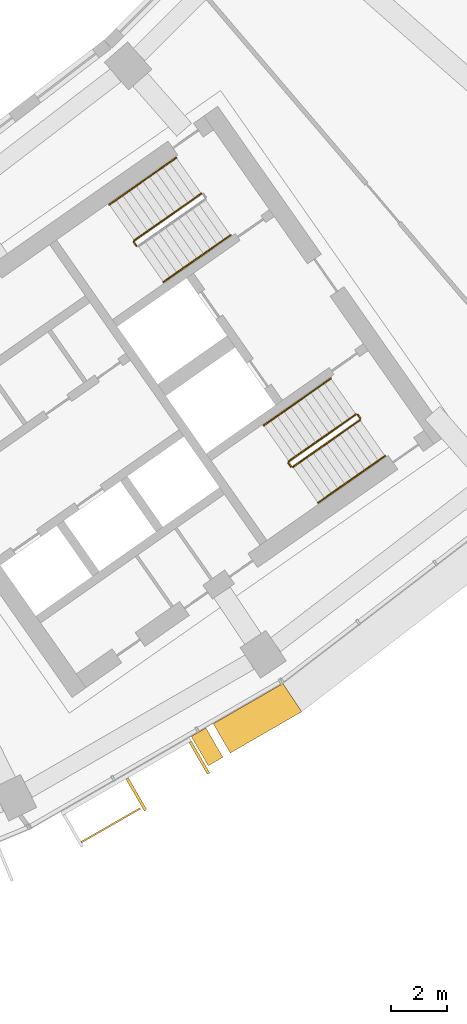
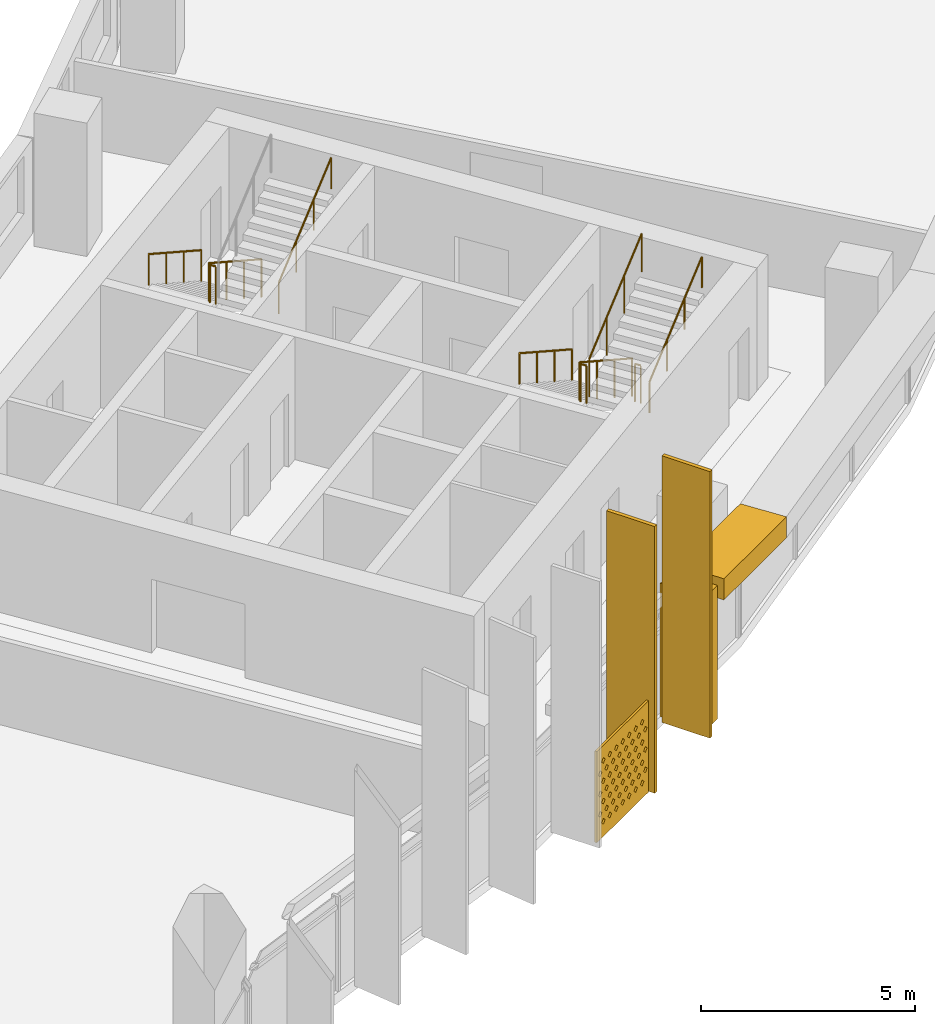
# One storey, part 26 of 27: 8 railings, 5 shading devices.
"""IFC4 building model written with IfcOpenShell, lengths in metres."""

import ifcopenshell
import ifcopenshell.guid

model = None  # the IFC model being written
_history = None  # IfcOwnerHistory: only IFC2X3 demands one
_inside = {}  # id of a spatial element -> (the spatial element, [elements in it])
_under = {}  # id of a project, library or spatial element -> (it, [spatial elements below it])
_declared = {}  # id of a project -> (the project, [libraries it declares])
_typed = {}  # id of a type object -> (the type object, [elements of that type])
_made_of = {}  # id of a material, layer set ... -> (it, [elements and type objects made of it])


def new_model(schema):
    """Start an empty IFC model of exactly this schema.

    Asked for "IFC4X3", IfcOpenShell would pick the latest addendum, in which some entities
    have other attributes; the version numbers below select the first issue.
    IFC2X3 requires an IfcOwnerHistory on every rooted entity: one is made here for all.
    """
    global model, _history
    if schema == "IFC4X3":
        model = ifcopenshell.file(schema_version=(4, 3, 0, 0))
    else:
        model = ifcopenshell.file(schema=schema)
    _inside.clear()
    _under.clear()
    _declared.clear()
    _typed.clear()
    _made_of.clear()
    _history = None
    if model.schema == "IFC2X3":
        org = make("IfcOrganization", Name="unknown")
        user = make(
            "IfcPersonAndOrganization",
            ThePerson=make("IfcPerson", FamilyName="unknown"),
            TheOrganization=org,
        )
        app = make(
            "IfcApplication",
            ApplicationDeveloper=org,
            Version="unknown",
            ApplicationFullName="unknown",
            ApplicationIdentifier="unknown",
        )
        _history = make(
            "IfcOwnerHistory",
            OwningUser=user,
            OwningApplication=app,
            ChangeAction="ADDED",
            CreationDate=0,
        )
    return model


def make(cls, **values):
    """One entity of the class cls with the attributes given. An attribute that is None is left unset."""
    return model.create_entity(
        cls, **{name: value for name, value in values.items() if value is not None}
    )


def rooted(cls, **values):
    """An entity with a GlobalId (a new one), such as an element, a storey or a relation."""
    return make(cls, GlobalId=ifcopenshell.guid.new(), OwnerHistory=_history, **values)


def si_unit(unit_type, name, prefix=None):
    """IfcSIUnit, for example si_unit("LENGTHUNIT", "METRE", prefix="MILLI")."""
    return make("IfcSIUnit", UnitType=unit_type, Prefix=prefix, Name=name)


def assignment(units):
    """IfcUnitAssignment: the units of a project."""
    return None if units is None else make("IfcUnitAssignment", Units=units)


def point(xyz):
    """IfcCartesianPoint."""
    return None if xyz is None else make("IfcCartesianPoint", Coordinates=xyz)


def direction(xyz):
    """IfcDirection."""
    return None if xyz is None else make("IfcDirection", DirectionRatios=xyz)


def frame(location, z_axis=None, x_axis=None):
    """IfcAxis2Placement3D, a coordinate frame: its origin and axes. An axis left out is left unset."""
    return make(
        "IfcAxis2Placement3D",
        Location=point(location),
        Axis=direction(z_axis),
        RefDirection=direction(x_axis),
    )


def frame_2d(location, x_axis=None):
    """IfcAxis2Placement2D, a coordinate frame in the plane: its origin and x axis."""
    return make(
        "IfcAxis2Placement2D", Location=point(location), RefDirection=direction(x_axis)
    )


def origin():
    """The frame at (0, 0, 0) with its axes left unset."""
    return frame((0.0, 0.0, 0.0))


def origin_2d():
    """The frame at (0, 0) in the plane with its x axis left unset."""
    return frame_2d((0.0, 0.0))


def place(relative_to, where):
    """IfcLocalPlacement: puts the frame where relative to a parent placement (None: the world)."""
    return make(
        "IfcLocalPlacement", PlacementRelTo=relative_to, RelativePlacement=where
    )


def context(
    kind, dimensions, precision=None, world=None, true_north=None, identifier=None
):
    """IfcGeometricRepresentationContext, for example the 3D "Model" context."""
    return make(
        "IfcGeometricRepresentationContext",
        ContextIdentifier=identifier,
        ContextType=kind,
        CoordinateSpaceDimension=dimensions,
        Precision=precision,
        WorldCoordinateSystem=world,
        TrueNorth=true_north,
    )


def subcontext(parent, identifier, kind, view, scale=None):
    """IfcGeometricRepresentationSubContext, for example "Body" below "Model"."""
    return make(
        "IfcGeometricRepresentationSubContext",
        ContextIdentifier=identifier,
        ContextType=kind,
        ParentContext=parent,
        TargetScale=scale,
        TargetView=view,
    )


def project(units=None, contexts=None):
    """IfcProject with its units and contexts."""
    return rooted(
        "IfcProject",
        Name="project",
        RepresentationContexts=contexts,
        UnitsInContext=assignment(units),
    )


def spatial(cls, under=None, at=None, **own):
    """A site, building, storey or space (cls), placed at a placement, below another one or the project."""
    s = rooted(cls, ObjectPlacement=at, **own)
    if under is not None:
        _under.setdefault(under.id(), (under, []))[1].append(s)
    return s


def polyline(points):
    """IfcPolyline through the points."""
    return make("IfcPolyline", Points=[point(p) for p in points])


def profile(cls, at=None, kind="AREA", **sizes):
    """A parametric profile (cls). Its sizes go by their IFC names, for example OverallWidth=200.0."""
    return make(cls, ProfileType=kind, Position=at, **sizes)


def rectangle(**sizes):
    """IfcRectangleProfileDef."""
    return profile("IfcRectangleProfileDef", **sizes)


def circle(**sizes):
    """IfcCircleProfileDef."""
    return profile("IfcCircleProfileDef", **sizes)


def outline(outer, holes=None, kind="AREA"):
    """IfcArbitraryClosedProfileDef: a profile drawn as a closed curve; with holes, ...WithVoids."""
    if holes is None:
        return make("IfcArbitraryClosedProfileDef", ProfileType=kind, OuterCurve=outer)
    return make(
        "IfcArbitraryProfileDefWithVoids",
        ProfileType=kind,
        OuterCurve=outer,
        InnerCurves=holes,
    )


def extrude(swept, where, along, depth):
    """IfcExtrudedAreaSolid: the profile swept, set in the frame where, extruded along a direction by depth."""
    return make(
        "IfcExtrudedAreaSolid",
        SweptArea=swept,
        Position=where,
        ExtrudedDirection=direction(along),
        Depth=depth,
    )


def shape(context_of_items, identifier, shape_type, items):
    """IfcShapeRepresentation: the items that make up one representation, for example the "Body"."""
    return make(
        "IfcShapeRepresentation",
        ContextOfItems=context_of_items,
        RepresentationIdentifier=identifier,
        RepresentationType=shape_type,
        Items=items,
    )


def material(Name=None, Category=None):
    """IfcMaterial."""
    return make("IfcMaterial", Name=Name, Category=Category)


def material_profile(
    of_material, cross_section, Name=None, Category=None, Priority=None
):
    """IfcMaterialProfile: a cross section and its material."""
    return make(
        "IfcMaterialProfile",
        Name=Name,
        Material=of_material,
        Profile=cross_section,
        Priority=Priority,
        Category=Category,
    )


def profile_set(profiles, Name=None, composite=None):
    """IfcMaterialProfileSet."""
    return make(
        "IfcMaterialProfileSet",
        Name=Name,
        MaterialProfiles=profiles,
        CompositeProfile=composite,
    )


def made_of(thing, what):
    """Note that an element or type object is made of a material, layer set ...; save() writes the relation."""
    if what is not None:
        _made_of.setdefault(what.id(), (what, []))[1].append(thing)
    return thing


def type_object(cls, material=None, **own):
    """A type object (cls), such as IfcWallType, which elements share."""
    return made_of(rooted(cls, **own), material)


def element(
    cls,
    number,
    at=None,
    inside=None,
    cuts=None,
    type_object=None,
    material=None,
    context=None,
    identifier="Body",
    shape_type=None,
    held_by="IfcProductDefinitionShape",
    body=None,
    shapes=None,
    **own,
):
    """One element of the class cls, such as IfcWall. Its Tag is "e" and its number.

    at: its placement. inside: the storey or other place that contains it. cuts: it is an
    opening in that element (IfcRelVoidsElement). A single representation is given by context,
    identifier, shape_type and body (its items); several are given by shapes. held_by: the class
    of the entity that holds the representations. save() writes the other relations.
    """
    e = rooted(cls, Tag="e%d" % number, ObjectPlacement=at, **own)
    if body is not None:
        shapes = [shape(context, identifier, shape_type, body)]
    if shapes is not None:
        e.Representation = make(held_by, Representations=shapes)
    if inside is not None:
        _inside.setdefault(inside.id(), (inside, []))[1].append(e)
    if cuts is not None:
        rooted(
            "IfcRelVoidsElement", RelatingBuildingElement=cuts, RelatedOpeningElement=e
        )
    if type_object is not None:
        _typed.setdefault(type_object.id(), (type_object, []))[1].append(e)
    return made_of(e, material)


def aggregate(whole, parts):
    """IfcRelAggregates: a whole, such as a stair, and the parts it consists of."""
    return rooted("IfcRelAggregates", RelatingObject=whole, RelatedObjects=parts)


def save(model, path):
    """Write the relations noted so far, then the file.

    IfcRelAggregates (storeys below a building ...), IfcRelContainedInSpatialStructure (elements
    in a storey), IfcRelDefinesByType, IfcRelAssociatesMaterial and IfcRelDeclares: one each for
    every whole, place, type object, material and project.
    """
    for whole, parts in _under.values():
        aggregate(whole, parts)
    for where, things in _inside.values():
        rooted(
            "IfcRelContainedInSpatialStructure",
            RelatedElements=things,
            RelatingStructure=where,
        )
    for kind, things in _typed.values():
        rooted("IfcRelDefinesByType", RelatedObjects=things, RelatingType=kind)
    for what, things in _made_of.values():
        rooted("IfcRelAssociatesMaterial", RelatedObjects=things, RelatingMaterial=what)
    for by, libraries in _declared.values():
        rooted("IfcRelDeclares", RelatingContext=by, RelatedDefinitions=libraries)
    model.write(path)


model = new_model("IFC4")

# Units and contexts
model_context = context("Model", 3, precision=1e-05, world=origin(), true_north=direction((0.0, 1.0)))
body_context = subcontext(model_context, "Body", "Model", "MODEL_VIEW")
ifc_project = project(units=[si_unit("LENGTHUNIT", "METRE"), si_unit("AREAUNIT", "SQUARE_METRE"), si_unit("VOLUMEUNIT", "CUBIC_METRE"), si_unit("PLANEANGLEUNIT", "RADIAN"), si_unit("MASSUNIT", "GRAM", prefix="KILO")], contexts=[model_context])

# Site, building, storey
site_placement = place(None, origin())
site = spatial("IfcSite", under=ifc_project, at=site_placement, CompositionType="ELEMENT")
building_placement = place(site_placement, origin())
building = spatial("IfcBuilding", under=site, at=building_placement, Name="Qamariyya Broadcast Tower", CompositionType="ELEMENT")
storey_placement = place(building_placement, frame((0.0, 0.0, 187.300048828125)))
storey = spatial("IfcBuildingStorey", under=building, at=storey_placement, Name="L44", CompositionType="ELEMENT", Elevation=187.300048828125)

# Shading devices
ifc_material_1 = material(Name="Steel S355 powder coated deep red", Category="steel")
shading_device_type_1 = type_object("IfcShadingDeviceType", Name="Deep red frame, powder coated steel box section", PredefinedType="USERDEFINED", material=ifc_material_1)
shading_device_1_placement = place(storey_placement, origin())
element("IfcShadingDevice", 1, at=shading_device_1_placement, inside=storey, type_object=shading_device_type_1, Name="e-frm-B3-F5-posta-L44", ObjectType="FRAME", PredefinedType="USERDEFINED", context=body_context, shape_type="SweptSolid", body=[
    extrude(outline(polyline([(40.647216796875, -67.558349609375), (41.2470703125, -68.59765625), (41.766845703125, -68.297607421875), (41.166748046875, -67.25830078125), (40.647216796875, -67.558349609375)])), origin(), (0.0, 0.0, 1.0), 3.800048828125),
])
shading_device_2_placement = place(storey_placement, frame((0.0, 0.0, 3.199951171875)))
element("IfcShadingDevice", 2, at=shading_device_2_placement, inside=storey, type_object=shading_device_type_1, Name="e-frm-B3-F5-top0", ObjectType="FRAME", PredefinedType="USERDEFINED", context=body_context, shape_type="SweptSolid", body=[
    extrude(outline(polyline([(41.426513671875, -67.1083984375), (42.026611328125, -68.147705078125), (44.55810546875, -66.68603515625), (43.89013671875, -65.68603515625), (41.426513671875, -67.1083984375)])), origin(), (0.0, 0.0, 1.0), 0.60009765625),
])
ifc_material_2 = material(Name="Perforated glazed terracotta", Category="masonry")
ifc_material_profile_1 = material_profile(ifc_material_2, outline(polyline([(-1.199951171875, -1.300048828125), (1.199951171875, -1.300048828125), (1.199951171875, 1.300048828125), (-1.199951171875, 1.300048828125), (-1.199951171875, -1.300048828125)]), holes=[polyline([(-0.81494140625, -0.86669921875), (-0.89990234375, -0.78173828125), (-0.985107421875, -0.86669921875), (-0.89990234375, -0.95166015625), (-0.81494140625, -0.86669921875)]), polyline([(-0.514892578125, -0.86669921875), (-0.60009765625, -0.78173828125), (-0.68505859375, -0.86669921875), (-0.60009765625, -0.95166015625), (-0.514892578125, -0.86669921875)]), polyline([(-0.215087890625, -0.86669921875), (-0.300048828125, -0.78173828125), (-0.385009765625, -0.86669921875), (-0.300048828125, -0.95166015625), (-0.215087890625, -0.86669921875)]), polyline([(0.0849609375, -0.86669921875), (0.0, -0.78173828125), (-0.0849609375, -0.86669921875), (0.0, -0.95166015625), (0.0849609375, -0.86669921875)]), polyline([(0.385009765625, -0.86669921875), (0.300048828125, -0.78173828125), (0.215087890625, -0.86669921875), (0.300048828125, -0.95166015625), (0.385009765625, -0.86669921875)]), polyline([(0.68505859375, -0.86669921875), (0.60009765625, -0.78173828125), (0.514892578125, -0.86669921875), (0.60009765625, -0.95166015625), (0.68505859375, -0.86669921875)]), polyline([(0.985107421875, -0.86669921875), (0.89990234375, -0.78173828125), (0.81494140625, -0.86669921875), (0.89990234375, -0.95166015625), (0.985107421875, -0.86669921875)]), polyline([(-0.965087890625, -0.577880859375), (-1.050048828125, -0.49267578125), (-1.135009765625, -0.577880859375), (-1.050048828125, -0.662841796875), (-0.965087890625, -0.577880859375)]), polyline([(-0.6650390625, -0.577880859375), (-0.75, -0.49267578125), (-0.8349609375, -0.577880859375), (-0.75, -0.662841796875), (-0.6650390625, -0.577880859375)]), polyline([(-0.364990234375, -0.577880859375), (-0.449951171875, -0.49267578125), (-0.534912109375, -0.577880859375), (-0.449951171875, -0.662841796875), (-0.364990234375, -0.577880859375)]), polyline([(-0.06494140625, -0.577880859375), (-0.14990234375, -0.49267578125), (-0.235107421875, -0.577880859375), (-0.14990234375, -0.662841796875), (-0.06494140625, -0.577880859375)]), polyline([(0.235107421875, -0.577880859375), (0.14990234375, -0.49267578125), (0.06494140625, -0.577880859375), (0.14990234375, -0.662841796875), (0.235107421875, -0.577880859375)]), polyline([(0.534912109375, -0.577880859375), (0.449951171875, -0.49267578125), (0.364990234375, -0.577880859375), (0.449951171875, -0.662841796875), (0.534912109375, -0.577880859375)]), polyline([(0.8349609375, -0.577880859375), (0.75, -0.49267578125), (0.6650390625, -0.577880859375), (0.75, -0.662841796875), (0.8349609375, -0.577880859375)]), polyline([(1.135009765625, -0.577880859375), (1.050048828125, -0.49267578125), (0.965087890625, -0.577880859375), (1.050048828125, -0.662841796875), (1.135009765625, -0.577880859375)]), polyline([(-0.81494140625, -0.288818359375), (-0.89990234375, -0.203857421875), (-0.985107421875, -0.288818359375), (-0.89990234375, -0.373779296875), (-0.81494140625, -0.288818359375)]), polyline([(-0.514892578125, -0.288818359375), (-0.60009765625, -0.203857421875), (-0.68505859375, -0.288818359375), (-0.60009765625, -0.373779296875), (-0.514892578125, -0.288818359375)]), polyline([(-0.215087890625, -0.288818359375), (-0.300048828125, -0.203857421875), (-0.385009765625, -0.288818359375), (-0.300048828125, -0.373779296875), (-0.215087890625, -0.288818359375)]), polyline([(0.0849609375, -0.288818359375), (0.0, -0.203857421875), (-0.0849609375, -0.288818359375), (0.0, -0.373779296875), (0.0849609375, -0.288818359375)]), polyline([(0.385009765625, -0.288818359375), (0.300048828125, -0.203857421875), (0.215087890625, -0.288818359375), (0.300048828125, -0.373779296875), (0.385009765625, -0.288818359375)]), polyline([(0.68505859375, -0.288818359375), (0.60009765625, -0.203857421875), (0.514892578125, -0.288818359375), (0.60009765625, -0.373779296875), (0.68505859375, -0.288818359375)]), polyline([(0.985107421875, -0.288818359375), (0.89990234375, -0.203857421875), (0.81494140625, -0.288818359375), (0.89990234375, -0.373779296875), (0.985107421875, -0.288818359375)]), polyline([(-0.965087890625, 0.0), (-1.050048828125, 0.0849609375), (-1.135009765625, 0.0), (-1.050048828125, -0.0849609375), (-0.965087890625, 0.0)]), polyline([(-0.6650390625, 0.0), (-0.75, 0.0849609375), (-0.8349609375, 0.0), (-0.75, -0.0849609375), (-0.6650390625, 0.0)]), polyline([(-0.364990234375, 0.0), (-0.449951171875, 0.0849609375), (-0.534912109375, 0.0), (-0.449951171875, -0.0849609375), (-0.364990234375, 0.0)]), polyline([(-0.06494140625, 0.0), (-0.14990234375, 0.0849609375), (-0.235107421875, 0.0), (-0.14990234375, -0.0849609375), (-0.06494140625, 0.0)]), polyline([(0.235107421875, 0.0), (0.14990234375, 0.0849609375), (0.06494140625, 0.0), (0.14990234375, -0.0849609375), (0.235107421875, 0.0)]), polyline([(0.534912109375, 0.0), (0.449951171875, 0.0849609375), (0.364990234375, 0.0), (0.449951171875, -0.0849609375), (0.534912109375, 0.0)]), polyline([(0.8349609375, 0.0), (0.75, 0.0849609375), (0.6650390625, 0.0), (0.75, -0.0849609375), (0.8349609375, 0.0)]), polyline([(1.135009765625, 0.0), (1.050048828125, 0.0849609375), (0.965087890625, 0.0), (1.050048828125, -0.0849609375), (1.135009765625, 0.0)]), polyline([(-0.81494140625, 0.288818359375), (-0.89990234375, 0.373779296875), (-0.985107421875, 0.288818359375), (-0.89990234375, 0.203857421875), (-0.81494140625, 0.288818359375)]), polyline([(-0.514892578125, 0.288818359375), (-0.60009765625, 0.373779296875), (-0.68505859375, 0.288818359375), (-0.60009765625, 0.203857421875), (-0.514892578125, 0.288818359375)]), polyline([(-0.215087890625, 0.288818359375), (-0.300048828125, 0.373779296875), (-0.385009765625, 0.288818359375), (-0.300048828125, 0.203857421875), (-0.215087890625, 0.288818359375)]), polyline([(0.0849609375, 0.288818359375), (0.0, 0.373779296875), (-0.0849609375, 0.288818359375), (0.0, 0.203857421875), (0.0849609375, 0.288818359375)]), polyline([(0.385009765625, 0.288818359375), (0.300048828125, 0.373779296875), (0.215087890625, 0.288818359375), (0.300048828125, 0.203857421875), (0.385009765625, 0.288818359375)]), polyline([(0.68505859375, 0.288818359375), (0.60009765625, 0.373779296875), (0.514892578125, 0.288818359375), (0.60009765625, 0.203857421875), (0.68505859375, 0.288818359375)]), polyline([(0.985107421875, 0.288818359375), (0.89990234375, 0.373779296875), (0.81494140625, 0.288818359375), (0.89990234375, 0.203857421875), (0.985107421875, 0.288818359375)]), polyline([(-0.965087890625, 0.577880859375), (-1.050048828125, 0.662841796875), (-1.135009765625, 0.577880859375), (-1.050048828125, 0.49267578125), (-0.965087890625, 0.577880859375)]), polyline([(-0.6650390625, 0.577880859375), (-0.75, 0.662841796875), (-0.8349609375, 0.577880859375), (-0.75, 0.49267578125), (-0.6650390625, 0.577880859375)]), polyline([(-0.364990234375, 0.577880859375), (-0.449951171875, 0.662841796875), (-0.534912109375, 0.577880859375), (-0.449951171875, 0.49267578125), (-0.364990234375, 0.577880859375)]), polyline([(-0.06494140625, 0.577880859375), (-0.14990234375, 0.662841796875), (-0.235107421875, 0.577880859375), (-0.14990234375, 0.49267578125), (-0.06494140625, 0.577880859375)]), polyline([(0.235107421875, 0.577880859375), (0.14990234375, 0.662841796875), (0.06494140625, 0.577880859375), (0.14990234375, 0.49267578125), (0.235107421875, 0.577880859375)]), polyline([(0.534912109375, 0.577880859375), (0.449951171875, 0.662841796875), (0.364990234375, 0.577880859375), (0.449951171875, 0.49267578125), (0.534912109375, 0.577880859375)]), polyline([(0.8349609375, 0.577880859375), (0.75, 0.662841796875), (0.6650390625, 0.577880859375), (0.75, 0.49267578125), (0.8349609375, 0.577880859375)]), polyline([(1.135009765625, 0.577880859375), (1.050048828125, 0.662841796875), (0.965087890625, 0.577880859375), (1.050048828125, 0.49267578125), (1.135009765625, 0.577880859375)]), polyline([(-0.81494140625, 0.86669921875), (-0.89990234375, 0.95166015625), (-0.985107421875, 0.86669921875), (-0.89990234375, 0.78173828125), (-0.81494140625, 0.86669921875)]), polyline([(-0.514892578125, 0.86669921875), (-0.60009765625, 0.95166015625), (-0.68505859375, 0.86669921875), (-0.60009765625, 0.78173828125), (-0.514892578125, 0.86669921875)]), polyline([(-0.215087890625, 0.86669921875), (-0.300048828125, 0.95166015625), (-0.385009765625, 0.86669921875), (-0.300048828125, 0.78173828125), (-0.215087890625, 0.86669921875)]), polyline([(0.0849609375, 0.86669921875), (0.0, 0.95166015625), (-0.0849609375, 0.86669921875), (0.0, 0.78173828125), (0.0849609375, 0.86669921875)]), polyline([(0.385009765625, 0.86669921875), (0.300048828125, 0.95166015625), (0.215087890625, 0.86669921875), (0.300048828125, 0.78173828125), (0.385009765625, 0.86669921875)]), polyline([(0.68505859375, 0.86669921875), (0.60009765625, 0.95166015625), (0.514892578125, 0.86669921875), (0.60009765625, 0.78173828125), (0.68505859375, 0.86669921875)]), polyline([(0.985107421875, 0.86669921875), (0.89990234375, 0.95166015625), (0.81494140625, 0.86669921875), (0.89990234375, 0.78173828125), (0.985107421875, 0.86669921875)])]))
ifc_profile_set_1 = profile_set([ifc_material_profile_1], Name="Perforated glazed terracotta")
shading_device_type_2 = type_object("IfcShadingDeviceType", Name="Perforated terracotta screen 2400 x 2600", PredefinedType="USERDEFINED", material=ifc_profile_set_1)
shading_device_3_placement = place(storey_placement, frame((37.777099609375, -70.681884765625, 1.349853515625), z_axis=(0.497016140981, -0.86774129532, 0.0), x_axis=(0.86774129532, 0.497016140981, 0.0)))
element("IfcShadingDevice", 3, at=shading_device_3_placement, inside=storey, type_object=shading_device_type_2, Name="e-scr-L44-11-0", ObjectType="SCREEN", PredefinedType="USERDEFINED", context=body_context, shape_type="SweptSolid", body=[
    extrude(outline(polyline([(-1.199951171875, -1.300048828125), (1.199951171875, -1.300048828125), (1.199951171875, 1.300048828125), (-1.199951171875, 1.300048828125), (-1.199951171875, -1.300048828125)]), holes=[polyline([(-0.81494140625, -0.86669921875), (-0.89990234375, -0.78173828125), (-0.985107421875, -0.86669921875), (-0.89990234375, -0.95166015625), (-0.81494140625, -0.86669921875)]), polyline([(-0.514892578125, -0.86669921875), (-0.60009765625, -0.78173828125), (-0.68505859375, -0.86669921875), (-0.60009765625, -0.95166015625), (-0.514892578125, -0.86669921875)]), polyline([(-0.215087890625, -0.86669921875), (-0.300048828125, -0.78173828125), (-0.385009765625, -0.86669921875), (-0.300048828125, -0.95166015625), (-0.215087890625, -0.86669921875)]), polyline([(0.0849609375, -0.86669921875), (0.0, -0.78173828125), (-0.0849609375, -0.86669921875), (0.0, -0.95166015625), (0.0849609375, -0.86669921875)]), polyline([(0.385009765625, -0.86669921875), (0.300048828125, -0.78173828125), (0.215087890625, -0.86669921875), (0.300048828125, -0.95166015625), (0.385009765625, -0.86669921875)]), polyline([(0.68505859375, -0.86669921875), (0.60009765625, -0.78173828125), (0.514892578125, -0.86669921875), (0.60009765625, -0.95166015625), (0.68505859375, -0.86669921875)]), polyline([(0.985107421875, -0.86669921875), (0.89990234375, -0.78173828125), (0.81494140625, -0.86669921875), (0.89990234375, -0.95166015625), (0.985107421875, -0.86669921875)]), polyline([(-0.965087890625, -0.577880859375), (-1.050048828125, -0.49267578125), (-1.135009765625, -0.577880859375), (-1.050048828125, -0.662841796875), (-0.965087890625, -0.577880859375)]), polyline([(-0.6650390625, -0.577880859375), (-0.75, -0.49267578125), (-0.8349609375, -0.577880859375), (-0.75, -0.662841796875), (-0.6650390625, -0.577880859375)]), polyline([(-0.364990234375, -0.577880859375), (-0.449951171875, -0.49267578125), (-0.534912109375, -0.577880859375), (-0.449951171875, -0.662841796875), (-0.364990234375, -0.577880859375)]), polyline([(-0.06494140625, -0.577880859375), (-0.14990234375, -0.49267578125), (-0.235107421875, -0.577880859375), (-0.14990234375, -0.662841796875), (-0.06494140625, -0.577880859375)]), polyline([(0.235107421875, -0.577880859375), (0.14990234375, -0.49267578125), (0.06494140625, -0.577880859375), (0.14990234375, -0.662841796875), (0.235107421875, -0.577880859375)]), polyline([(0.534912109375, -0.577880859375), (0.449951171875, -0.49267578125), (0.364990234375, -0.577880859375), (0.449951171875, -0.662841796875), (0.534912109375, -0.577880859375)]), polyline([(0.8349609375, -0.577880859375), (0.75, -0.49267578125), (0.6650390625, -0.577880859375), (0.75, -0.662841796875), (0.8349609375, -0.577880859375)]), polyline([(1.135009765625, -0.577880859375), (1.050048828125, -0.49267578125), (0.965087890625, -0.577880859375), (1.050048828125, -0.662841796875), (1.135009765625, -0.577880859375)]), polyline([(-0.81494140625, -0.288818359375), (-0.89990234375, -0.203857421875), (-0.985107421875, -0.288818359375), (-0.89990234375, -0.373779296875), (-0.81494140625, -0.288818359375)]), polyline([(-0.514892578125, -0.288818359375), (-0.60009765625, -0.203857421875), (-0.68505859375, -0.288818359375), (-0.60009765625, -0.373779296875), (-0.514892578125, -0.288818359375)]), polyline([(-0.215087890625, -0.288818359375), (-0.300048828125, -0.203857421875), (-0.385009765625, -0.288818359375), (-0.300048828125, -0.373779296875), (-0.215087890625, -0.288818359375)]), polyline([(0.0849609375, -0.288818359375), (0.0, -0.203857421875), (-0.0849609375, -0.288818359375), (0.0, -0.373779296875), (0.0849609375, -0.288818359375)]), polyline([(0.385009765625, -0.288818359375), (0.300048828125, -0.203857421875), (0.215087890625, -0.288818359375), (0.300048828125, -0.373779296875), (0.385009765625, -0.288818359375)]), polyline([(0.68505859375, -0.288818359375), (0.60009765625, -0.203857421875), (0.514892578125, -0.288818359375), (0.60009765625, -0.373779296875), (0.68505859375, -0.288818359375)]), polyline([(0.985107421875, -0.288818359375), (0.89990234375, -0.203857421875), (0.81494140625, -0.288818359375), (0.89990234375, -0.373779296875), (0.985107421875, -0.288818359375)]), polyline([(-0.965087890625, 0.0), (-1.050048828125, 0.0849609375), (-1.135009765625, 0.0), (-1.050048828125, -0.0849609375), (-0.965087890625, 0.0)]), polyline([(-0.6650390625, 0.0), (-0.75, 0.0849609375), (-0.8349609375, 0.0), (-0.75, -0.0849609375), (-0.6650390625, 0.0)]), polyline([(-0.364990234375, 0.0), (-0.449951171875, 0.0849609375), (-0.534912109375, 0.0), (-0.449951171875, -0.0849609375), (-0.364990234375, 0.0)]), polyline([(-0.06494140625, 0.0), (-0.14990234375, 0.0849609375), (-0.235107421875, 0.0), (-0.14990234375, -0.0849609375), (-0.06494140625, 0.0)]), polyline([(0.235107421875, 0.0), (0.14990234375, 0.0849609375), (0.06494140625, 0.0), (0.14990234375, -0.0849609375), (0.235107421875, 0.0)]), polyline([(0.534912109375, 0.0), (0.449951171875, 0.0849609375), (0.364990234375, 0.0), (0.449951171875, -0.0849609375), (0.534912109375, 0.0)]), polyline([(0.8349609375, 0.0), (0.75, 0.0849609375), (0.6650390625, 0.0), (0.75, -0.0849609375), (0.8349609375, 0.0)]), polyline([(1.135009765625, 0.0), (1.050048828125, 0.0849609375), (0.965087890625, 0.0), (1.050048828125, -0.0849609375), (1.135009765625, 0.0)]), polyline([(-0.81494140625, 0.288818359375), (-0.89990234375, 0.373779296875), (-0.985107421875, 0.288818359375), (-0.89990234375, 0.203857421875), (-0.81494140625, 0.288818359375)]), polyline([(-0.514892578125, 0.288818359375), (-0.60009765625, 0.373779296875), (-0.68505859375, 0.288818359375), (-0.60009765625, 0.203857421875), (-0.514892578125, 0.288818359375)]), polyline([(-0.215087890625, 0.288818359375), (-0.300048828125, 0.373779296875), (-0.385009765625, 0.288818359375), (-0.300048828125, 0.203857421875), (-0.215087890625, 0.288818359375)]), polyline([(0.0849609375, 0.288818359375), (0.0, 0.373779296875), (-0.0849609375, 0.288818359375), (0.0, 0.203857421875), (0.0849609375, 0.288818359375)]), polyline([(0.385009765625, 0.288818359375), (0.300048828125, 0.373779296875), (0.215087890625, 0.288818359375), (0.300048828125, 0.203857421875), (0.385009765625, 0.288818359375)]), polyline([(0.68505859375, 0.288818359375), (0.60009765625, 0.373779296875), (0.514892578125, 0.288818359375), (0.60009765625, 0.203857421875), (0.68505859375, 0.288818359375)]), polyline([(0.985107421875, 0.288818359375), (0.89990234375, 0.373779296875), (0.81494140625, 0.288818359375), (0.89990234375, 0.203857421875), (0.985107421875, 0.288818359375)]), polyline([(-0.965087890625, 0.577880859375), (-1.050048828125, 0.662841796875), (-1.135009765625, 0.577880859375), (-1.050048828125, 0.49267578125), (-0.965087890625, 0.577880859375)]), polyline([(-0.6650390625, 0.577880859375), (-0.75, 0.662841796875), (-0.8349609375, 0.577880859375), (-0.75, 0.49267578125), (-0.6650390625, 0.577880859375)]), polyline([(-0.364990234375, 0.577880859375), (-0.449951171875, 0.662841796875), (-0.534912109375, 0.577880859375), (-0.449951171875, 0.49267578125), (-0.364990234375, 0.577880859375)]), polyline([(-0.06494140625, 0.577880859375), (-0.14990234375, 0.662841796875), (-0.235107421875, 0.577880859375), (-0.14990234375, 0.49267578125), (-0.06494140625, 0.577880859375)]), polyline([(0.235107421875, 0.577880859375), (0.14990234375, 0.662841796875), (0.06494140625, 0.577880859375), (0.14990234375, 0.49267578125), (0.235107421875, 0.577880859375)]), polyline([(0.534912109375, 0.577880859375), (0.449951171875, 0.662841796875), (0.364990234375, 0.577880859375), (0.449951171875, 0.49267578125), (0.534912109375, 0.577880859375)]), polyline([(0.8349609375, 0.577880859375), (0.75, 0.662841796875), (0.6650390625, 0.577880859375), (0.75, 0.49267578125), (0.8349609375, 0.577880859375)]), polyline([(1.135009765625, 0.577880859375), (1.050048828125, 0.662841796875), (0.965087890625, 0.577880859375), (1.050048828125, 0.49267578125), (1.135009765625, 0.577880859375)]), polyline([(-0.81494140625, 0.86669921875), (-0.89990234375, 0.95166015625), (-0.985107421875, 0.86669921875), (-0.89990234375, 0.78173828125), (-0.81494140625, 0.86669921875)]), polyline([(-0.514892578125, 0.86669921875), (-0.60009765625, 0.95166015625), (-0.68505859375, 0.86669921875), (-0.60009765625, 0.78173828125), (-0.514892578125, 0.86669921875)]), polyline([(-0.215087890625, 0.86669921875), (-0.300048828125, 0.95166015625), (-0.385009765625, 0.86669921875), (-0.300048828125, 0.78173828125), (-0.215087890625, 0.86669921875)]), polyline([(0.0849609375, 0.86669921875), (0.0, 0.95166015625), (-0.0849609375, 0.86669921875), (0.0, 0.78173828125), (0.0849609375, 0.86669921875)]), polyline([(0.385009765625, 0.86669921875), (0.300048828125, 0.95166015625), (0.215087890625, 0.86669921875), (0.300048828125, 0.78173828125), (0.385009765625, 0.86669921875)]), polyline([(0.68505859375, 0.86669921875), (0.60009765625, 0.95166015625), (0.514892578125, 0.86669921875), (0.60009765625, 0.78173828125), (0.68505859375, 0.86669921875)]), polyline([(0.985107421875, 0.86669921875), (0.89990234375, 0.95166015625), (0.81494140625, 0.86669921875), (0.89990234375, 0.78173828125), (0.985107421875, 0.86669921875)])]), origin(), (0.0, 0.0, 1.0), 0.059814453125),
])

# Railings
ifc_material_3 = material(Name="Painted steel", Category="steel")
railing_type_1 = type_object("IfcRailingType", Name="Stair guard", PredefinedType="GUARDRAIL", material=ifc_material_3)
railing_1_placement = place(storey_placement, frame((41.003173828125, -48.320068359375, 0.172607421875)))
element("IfcRailing", 4, at=railing_1_placement, inside=storey, type_object=railing_type_1, Name="L44 ST-E2 stair guard 1", PredefinedType="GUARDRAIL", context=body_context, shape_type="SweptSolid", body=[
    extrude(circle(Radius=0.02392578125, at=origin_2d()), frame((0.0, 0.0, 1.076171875), z_axis=(-0.703770094002, -0.492783725636, 0.511734163933), x_axis=(0.573575343427, -0.819152809562, 0.0)), (0.0, 0.0, 1.0), 3.37548828125),
    extrude(circle(Radius=0.02392578125, at=origin_2d()), frame((-2.37548828125, -1.663330078125, 2.80322265625), z_axis=(-0.172799478008, -0.984957024646, 0.0), x_axis=(0.984957024646, -0.172799478008, 0.0)), (0.0, 0.0, 1.0), 0.070556640625),
    extrude(circle(Radius=0.02392578125, at=origin_2d()), frame((-2.3876953125, -1.73291015625, 2.80322265625), z_axis=(0.572588637393, -0.819842821722, 0.0), x_axis=(0.819842821722, 0.572588637393, 0.0)), (0.0, 0.0, 1.0), 0.150146484375),
    extrude(circle(Radius=0.02099609375, at=origin_2d()), origin(), (0.0, 0.0, 1.0), 1.052001953125),
    extrude(circle(Radius=0.02099609375, at=origin_2d()), frame((-0.791748046875, -0.554443359375, 0.57568359375)), (0.0, 0.0, 1.0), 1.052001953125),
    extrude(circle(Radius=0.02099609375, at=origin_2d()), frame((-1.583740234375, -1.10888671875, 1.151611328125)), (0.0, 0.0, 1.0), 1.052001953125),
    extrude(circle(Radius=0.02099609375, at=origin_2d()), frame((-2.37548828125, -1.663330078125, 1.727294921875)), (0.0, 0.0, 1.0), 1.052001953125),
    extrude(circle(Radius=0.02099609375, at=origin_2d()), frame((-2.3876953125, -1.73291015625, 1.727294921875)), (0.0, 0.0, 1.0), 1.052001953125),
    extrude(circle(Radius=0.02099609375, at=origin_2d()), frame((-2.3017578125, -1.85595703125, 1.727294921875)), (0.0, 0.0, 1.0), 1.052001953125),
])
railing_2_placement = place(storey_placement, frame((46.48095703125, -56.14306640625, 0.172607421875)))
element("IfcRailing", 5, at=railing_2_placement, inside=storey, type_object=railing_type_1, Name="L44 ST-E1 stair guard 1", PredefinedType="GUARDRAIL", context=body_context, shape_type="SweptSolid", body=[
    extrude(circle(Radius=0.02392578125, at=origin_2d()), frame((0.0, 0.0, 1.076171875), z_axis=(-0.703770094002, -0.492783725636, 0.511734163933), x_axis=(0.573575343427, -0.819152809562, 0.0)), (0.0, 0.0, 1.0), 3.37548828125),
    extrude(circle(Radius=0.02392578125, at=origin_2d()), frame((-2.37548828125, -1.663330078125, 2.80322265625), z_axis=(-0.176149252506, -0.984363469884, 0.0), x_axis=(0.984363469884, -0.176149252506, 0.0)), (0.0, 0.0, 1.0), 0.07080078125),
    extrude(circle(Radius=0.02392578125, at=origin_2d()), frame((-2.387939453125, -1.73291015625, 2.80322265625), z_axis=(0.574444878118, -0.818543268254, 0.0), x_axis=(0.818543268254, 0.574444878118, 0.0)), (0.0, 0.0, 1.0), 0.150146484375),
    extrude(circle(Radius=0.02099609375, at=origin_2d()), origin(), (0.0, 0.0, 1.0), 1.052001953125),
    extrude(circle(Radius=0.02099609375, at=origin_2d()), frame((-0.791748046875, -0.554443359375, 0.57568359375)), (0.0, 0.0, 1.0), 1.052001953125),
    extrude(circle(Radius=0.02099609375, at=origin_2d()), frame((-1.583740234375, -1.10888671875, 1.151611328125)), (0.0, 0.0, 1.0), 1.052001953125),
    extrude(circle(Radius=0.02099609375, at=origin_2d()), frame((-2.37548828125, -1.663330078125, 1.727294921875)), (0.0, 0.0, 1.0), 1.052001953125),
    extrude(circle(Radius=0.02099609375, at=origin_2d()), frame((-2.387939453125, -1.73291015625, 1.727294921875)), (0.0, 0.0, 1.0), 1.052001953125),
    extrude(circle(Radius=0.02099609375, at=origin_2d()), frame((-2.3017578125, -1.855712890625, 1.727294921875)), (0.0, 0.0, 1.0), 1.052001953125),
])
railing_3_placement = place(storey_placement, frame((44.248779296875, -58.01123046875, 2.07275390625)))
element("IfcRailing", 6, at=railing_3_placement, inside=storey, type_object=railing_type_1, Name="L44 ST-E1 stair guard 2", PredefinedType="GUARDRAIL", context=body_context, shape_type="SweptSolid", body=[
    extrude(circle(Radius=0.02392578125, at=origin_2d()), frame((0.0, 0.0, 1.076171875), z_axis=(0.703745009021, 0.492838488332, 0.511715923826), x_axis=(-0.573631830683, 0.819113253969, 0.0)), (0.0, 0.0, 1.0), 3.37548828125),
    extrude(circle(Radius=0.02099609375, at=origin_2d()), origin(), (0.0, 0.0, 1.0), 1.052001953125),
    extrude(circle(Radius=0.02099609375, at=origin_2d()), frame((0.791748046875, 0.554443359375, 0.57568359375)), (0.0, 0.0, 1.0), 1.052001953125),
    extrude(circle(Radius=0.02099609375, at=origin_2d()), frame((1.583740234375, 1.109130859375, 1.151611328125)), (0.0, 0.0, 1.0), 1.052001953125),
    extrude(circle(Radius=0.02099609375, at=origin_2d()), frame((2.37548828125, 1.66357421875, 1.727294921875)), (0.0, 0.0, 1.0), 1.052001953125),
])
railing_4_placement = place(storey_placement, frame((46.550537109375, -56.1552734375, 0.0)))
element("IfcRailing", 7, at=railing_4_placement, inside=storey, type_object=railing_type_1, Name="L44 ST-E1 stair guard 3", PredefinedType="GUARDRAIL", context=body_context, shape_type="SweptSolid", body=[
    extrude(circle(Radius=0.02392578125, at=origin_2d()), frame((0.0, 0.0, 1.076171875), z_axis=(0.574444878118, -0.818543268254, 0.0), x_axis=(0.818543268254, 0.574444878118, 0.0)), (0.0, 0.0, 1.0), 0.150146484375),
    extrude(circle(Radius=0.02099609375, at=origin_2d()), origin(), (0.0, 0.0, 1.0), 1.052001953125),
    extrude(circle(Radius=0.02099609375, at=origin_2d()), frame((0.086181640625, -0.122802734375, 0.0)), (0.0, 0.0, 1.0), 1.052001953125),
])
ifc_material_4 = material(Name="Stainless steel", Category="steel")
railing_type_2 = type_object("IfcRailingType", Name="Stair handrail", PredefinedType="HANDRAIL", material=ifc_material_4)
railing_5_placement = place(storey_placement, frame((40.1142578125, -47.05029296875, 0.172607421875)))
element("IfcRailing", 8, at=railing_5_placement, inside=storey, type_object=railing_type_2, Name="L44 ST-E2 stair handrail 1", PredefinedType="HANDRAIL", context=body_context, shape_type="SweptSolid", body=[
    extrude(circle(Radius=0.02392578125, at=origin_2d()), frame((0.0, 0.0, 0.8759765625), z_axis=(-0.703745009021, -0.492838488332, 0.511715923826), x_axis=(0.573631830683, -0.819113253969, 0.0)), (0.0, 0.0, 1.0), 3.37548828125),
    extrude(circle(Radius=0.02099609375, at=origin_2d()), origin(), (0.0, 0.0, 1.0), 0.851806640625),
    extrude(circle(Radius=0.02099609375, at=origin_2d()), frame((-0.791748046875, -0.554443359375, 0.57568359375)), (0.0, 0.0, 1.0), 0.851806640625),
    extrude(circle(Radius=0.02099609375, at=origin_2d()), frame((-1.583740234375, -1.109130859375, 1.151611328125)), (0.0, 0.0, 1.0), 0.851806640625),
    extrude(circle(Radius=0.02099609375, at=origin_2d()), frame((-2.37548828125, -1.66357421875, 1.727294921875)), (0.0, 0.0, 1.0), 0.851806640625),
])
railing_6_placement = place(storey_placement, frame((39.66015625, -51.4580078125, 2.07275390625)))
element("IfcRailing", 9, at=railing_6_placement, inside=storey, type_object=railing_type_2, Name="L44 ST-E2 stair handrail 2", PredefinedType="HANDRAIL", context=body_context, shape_type="SweptSolid", body=[
    extrude(circle(Radius=0.02392578125, at=origin_2d()), frame((0.0, 0.0, 0.8759765625), z_axis=(0.703745009021, 0.492838488332, 0.511715923826), x_axis=(-0.573631830683, 0.819113253969, 0.0)), (0.0, 0.0, 1.0), 3.37548828125),
    extrude(circle(Radius=0.02099609375, at=origin_2d()), origin(), (0.0, 0.0, 1.0), 0.851806640625),
    extrude(circle(Radius=0.02099609375, at=origin_2d()), frame((0.791748046875, 0.554443359375, 0.57568359375)), (0.0, 0.0, 1.0), 0.851806640625),
    extrude(circle(Radius=0.02099609375, at=origin_2d()), frame((1.583740234375, 1.109130859375, 1.151611328125)), (0.0, 0.0, 1.0), 0.851806640625),
    extrude(circle(Radius=0.02099609375, at=origin_2d()), frame((2.37548828125, 1.66357421875, 1.727294921875)), (0.0, 0.0, 1.0), 0.851806640625),
])
railing_7_placement = place(storey_placement, frame((45.591796875, -54.873291015625, 0.172607421875)))
element("IfcRailing", 10, at=railing_7_placement, inside=storey, type_object=railing_type_2, Name="L44 ST-E1 stair handrail 1", PredefinedType="HANDRAIL", context=body_context, shape_type="SweptSolid", body=[
    extrude(circle(Radius=0.02392578125, at=origin_2d()), frame((0.0, 0.0, 0.8759765625), z_axis=(-0.703770094002, -0.492783725636, 0.511734163933), x_axis=(0.573575343427, -0.819152809562, 0.0)), (0.0, 0.0, 1.0), 3.37548828125),
    extrude(circle(Radius=0.02099609375, at=origin_2d()), origin(), (0.0, 0.0, 1.0), 0.851806640625),
    extrude(circle(Radius=0.02099609375, at=origin_2d()), frame((-0.791748046875, -0.554443359375, 0.57568359375)), (0.0, 0.0, 1.0), 0.851806640625),
    extrude(circle(Radius=0.02099609375, at=origin_2d()), frame((-1.583740234375, -1.10888671875, 1.151611328125)), (0.0, 0.0, 1.0), 0.851806640625),
    extrude(circle(Radius=0.02099609375, at=origin_2d()), frame((-2.37548828125, -1.663330078125, 1.727294921875)), (0.0, 0.0, 1.0), 0.851806640625),
])
railing_8_placement = place(storey_placement, frame((45.137939453125, -59.28076171875, 2.07275390625)))
element("IfcRailing", 11, at=railing_8_placement, inside=storey, type_object=railing_type_2, Name="L44 ST-E1 stair handrail 2", PredefinedType="HANDRAIL", context=body_context, shape_type="SweptSolid", body=[
    extrude(circle(Radius=0.02392578125, at=origin_2d()), frame((0.0, 0.0, 0.8759765625), z_axis=(0.703770094002, 0.492783725636, 0.511734163933), x_axis=(-0.573575343427, 0.819152809562, 0.0)), (0.0, 0.0, 1.0), 3.37548828125),
    extrude(circle(Radius=0.02099609375, at=origin_2d()), origin(), (0.0, 0.0, 1.0), 0.851806640625),
    extrude(circle(Radius=0.02099609375, at=origin_2d()), frame((0.791748046875, 0.554443359375, 0.57568359375)), (0.0, 0.0, 1.0), 0.851806640625),
    extrude(circle(Radius=0.02099609375, at=origin_2d()), frame((1.583740234375, 1.10888671875, 1.151611328125)), (0.0, 0.0, 1.0), 0.851806640625),
    extrude(circle(Radius=0.02099609375, at=origin_2d()), frame((2.37548828125, 1.663330078125, 1.727294921875)), (0.0, 0.0, 1.0), 0.851806640625),
])

# Shading devices
ifc_material_5 = material(Name="Glazed terracotta", Category="masonry")
ifc_material_profile_2 = material_profile(ifc_material_5, rectangle(XDim=1.300048828125, YDim=0.10009765625, at=origin_2d()))
ifc_profile_set_2 = profile_set([ifc_material_profile_2], Name="Glazed terracotta")
shading_device_type_3 = type_object("IfcShadingDeviceType", Name="Terracotta fin 100 x 1300", PredefinedType="USERDEFINED", material=ifc_profile_set_2)
for number, where, z_axis, x_axis, name in (
    (12, (38.69677734375, -69.608154296875, 0.0), (0.0, 0.0, 1.0), (0.5, -0.866025403784, 0.0), "e-fin-L44-11-1"),
    (13, (40.93408203125, -68.31640625, 0.0), (0.0, 0.0, 1.0), (0.5, -0.866025403784, 0.0), "e-fin-L44-11-2"),
):
    element("IfcShadingDevice", number, at=place(storey_placement, frame(where, z_axis=z_axis, x_axis=x_axis)), inside=storey, type_object=shading_device_type_3, Name=name, ObjectType="FIN", PredefinedType="USERDEFINED", context=body_context, shape_type="SweptSolid", body=[
        extrude(rectangle(XDim=1.300048828125, YDim=0.10009765625, at=origin_2d()), origin(), (0.0, 0.0, 1.0), 7.599853515625),
    ])

save(model, "model.ifc")
